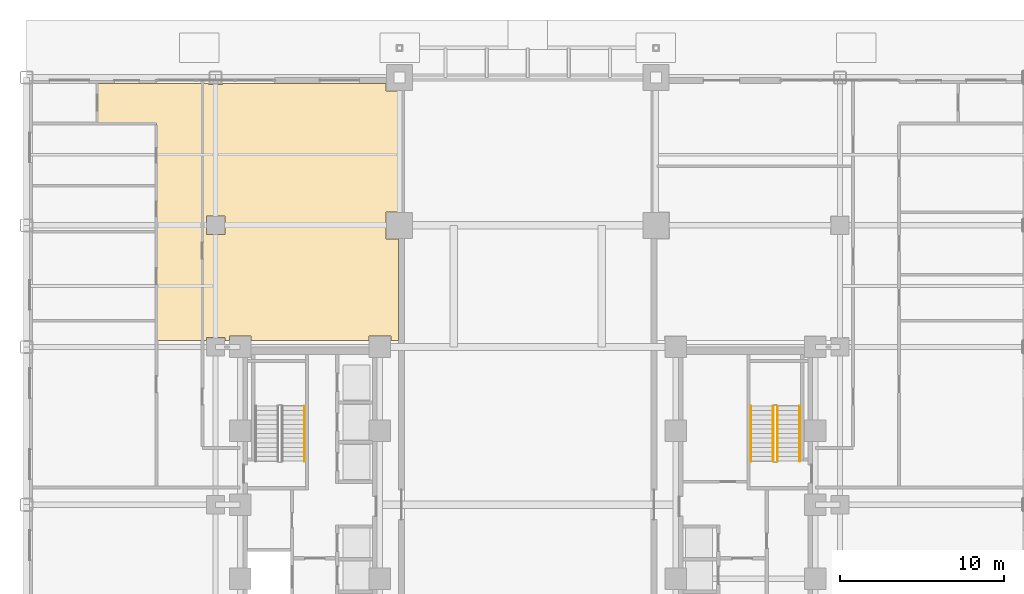
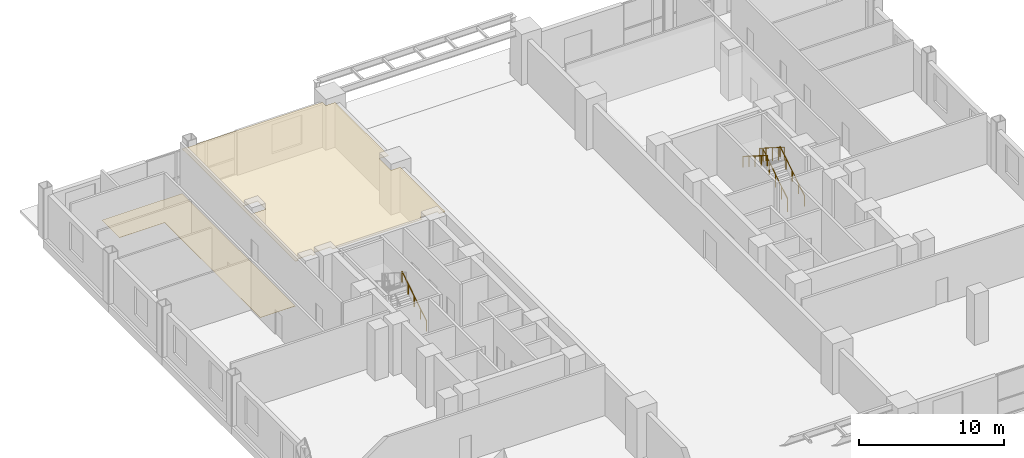
# One storey, part 18 of 20: 5 railings, 2 coverings.
"""IFC4 building model written with IfcOpenShell, lengths in metres."""

import ifcopenshell
import ifcopenshell.guid

model = None  # the IFC model being written
_history = None  # IfcOwnerHistory: only IFC2X3 demands one
_inside = {}  # id of a spatial element -> (the spatial element, [elements in it])
_under = {}  # id of a project, library or spatial element -> (it, [spatial elements below it])
_declared = {}  # id of a project -> (the project, [libraries it declares])
_typed = {}  # id of a type object -> (the type object, [elements of that type])
_made_of = {}  # id of a material, layer set ... -> (it, [elements and type objects made of it])


def new_model(schema):
    """Start an empty IFC model of exactly this schema.

    Asked for "IFC4X3", IfcOpenShell would pick the latest addendum, in which some entities
    have other attributes; the version numbers below select the first issue.
    IFC2X3 requires an IfcOwnerHistory on every rooted entity: one is made here for all.
    """
    global model, _history
    if schema == "IFC4X3":
        model = ifcopenshell.file(schema_version=(4, 3, 0, 0))
    else:
        model = ifcopenshell.file(schema=schema)
    _inside.clear()
    _under.clear()
    _declared.clear()
    _typed.clear()
    _made_of.clear()
    _history = None
    if model.schema == "IFC2X3":
        org = make("IfcOrganization", Name="unknown")
        user = make(
            "IfcPersonAndOrganization",
            ThePerson=make("IfcPerson", FamilyName="unknown"),
            TheOrganization=org,
        )
        app = make(
            "IfcApplication",
            ApplicationDeveloper=org,
            Version="unknown",
            ApplicationFullName="unknown",
            ApplicationIdentifier="unknown",
        )
        _history = make(
            "IfcOwnerHistory",
            OwningUser=user,
            OwningApplication=app,
            ChangeAction="ADDED",
            CreationDate=0,
        )
    return model


def make(cls, **values):
    """One entity of the class cls with the attributes given. An attribute that is None is left unset."""
    return model.create_entity(
        cls, **{name: value for name, value in values.items() if value is not None}
    )


def rooted(cls, **values):
    """An entity with a GlobalId (a new one), such as an element, a storey or a relation."""
    return make(cls, GlobalId=ifcopenshell.guid.new(), OwnerHistory=_history, **values)


def si_unit(unit_type, name, prefix=None):
    """IfcSIUnit, for example si_unit("LENGTHUNIT", "METRE", prefix="MILLI")."""
    return make("IfcSIUnit", UnitType=unit_type, Prefix=prefix, Name=name)


def assignment(units):
    """IfcUnitAssignment: the units of a project."""
    return None if units is None else make("IfcUnitAssignment", Units=units)


def point(xyz):
    """IfcCartesianPoint."""
    return None if xyz is None else make("IfcCartesianPoint", Coordinates=xyz)


def direction(xyz):
    """IfcDirection."""
    return None if xyz is None else make("IfcDirection", DirectionRatios=xyz)


def frame(location, z_axis=None, x_axis=None):
    """IfcAxis2Placement3D, a coordinate frame: its origin and axes. An axis left out is left unset."""
    return make(
        "IfcAxis2Placement3D",
        Location=point(location),
        Axis=direction(z_axis),
        RefDirection=direction(x_axis),
    )


def frame_2d(location, x_axis=None):
    """IfcAxis2Placement2D, a coordinate frame in the plane: its origin and x axis."""
    return make(
        "IfcAxis2Placement2D", Location=point(location), RefDirection=direction(x_axis)
    )


def origin():
    """The frame at (0, 0, 0) with its axes left unset."""
    return frame((0.0, 0.0, 0.0))


def origin_2d():
    """The frame at (0, 0) in the plane with its x axis left unset."""
    return frame_2d((0.0, 0.0))


def place(relative_to, where):
    """IfcLocalPlacement: puts the frame where relative to a parent placement (None: the world)."""
    return make(
        "IfcLocalPlacement", PlacementRelTo=relative_to, RelativePlacement=where
    )


def context(
    kind, dimensions, precision=None, world=None, true_north=None, identifier=None
):
    """IfcGeometricRepresentationContext, for example the 3D "Model" context."""
    return make(
        "IfcGeometricRepresentationContext",
        ContextIdentifier=identifier,
        ContextType=kind,
        CoordinateSpaceDimension=dimensions,
        Precision=precision,
        WorldCoordinateSystem=world,
        TrueNorth=true_north,
    )


def subcontext(parent, identifier, kind, view, scale=None):
    """IfcGeometricRepresentationSubContext, for example "Body" below "Model"."""
    return make(
        "IfcGeometricRepresentationSubContext",
        ContextIdentifier=identifier,
        ContextType=kind,
        ParentContext=parent,
        TargetScale=scale,
        TargetView=view,
    )


def project(units=None, contexts=None):
    """IfcProject with its units and contexts."""
    return rooted(
        "IfcProject",
        Name="project",
        RepresentationContexts=contexts,
        UnitsInContext=assignment(units),
    )


def spatial(cls, under=None, at=None, **own):
    """A site, building, storey or space (cls), placed at a placement, below another one or the project."""
    s = rooted(cls, ObjectPlacement=at, **own)
    if under is not None:
        _under.setdefault(under.id(), (under, []))[1].append(s)
    return s


def polyline(points):
    """IfcPolyline through the points."""
    return make("IfcPolyline", Points=[point(p) for p in points])


def profile(cls, at=None, kind="AREA", **sizes):
    """A parametric profile (cls). Its sizes go by their IFC names, for example OverallWidth=200.0."""
    return make(cls, ProfileType=kind, Position=at, **sizes)


def circle(**sizes):
    """IfcCircleProfileDef."""
    return profile("IfcCircleProfileDef", **sizes)


def outline(outer, holes=None, kind="AREA"):
    """IfcArbitraryClosedProfileDef: a profile drawn as a closed curve; with holes, ...WithVoids."""
    if holes is None:
        return make("IfcArbitraryClosedProfileDef", ProfileType=kind, OuterCurve=outer)
    return make(
        "IfcArbitraryProfileDefWithVoids",
        ProfileType=kind,
        OuterCurve=outer,
        InnerCurves=holes,
    )


def extrude(swept, where, along, depth):
    """IfcExtrudedAreaSolid: the profile swept, set in the frame where, extruded along a direction by depth."""
    return make(
        "IfcExtrudedAreaSolid",
        SweptArea=swept,
        Position=where,
        ExtrudedDirection=direction(along),
        Depth=depth,
    )


def shape(context_of_items, identifier, shape_type, items):
    """IfcShapeRepresentation: the items that make up one representation, for example the "Body"."""
    return make(
        "IfcShapeRepresentation",
        ContextOfItems=context_of_items,
        RepresentationIdentifier=identifier,
        RepresentationType=shape_type,
        Items=items,
    )


def material(Name=None, Category=None):
    """IfcMaterial."""
    return make("IfcMaterial", Name=Name, Category=Category)


def layer(
    of_material, thickness, ventilated=None, Name=None, Category=None, Priority=None
):
    """IfcMaterialLayer: one layer of a wall or slab, of a material (None: an air gap)."""
    return make(
        "IfcMaterialLayer",
        Material=of_material,
        LayerThickness=thickness,
        IsVentilated=ventilated,
        Name=Name,
        Category=Category,
        Priority=Priority,
    )


def layer_set(layers, Name=None):
    """IfcMaterialLayerSet."""
    return make("IfcMaterialLayerSet", MaterialLayers=layers, LayerSetName=Name)


def made_of(thing, what):
    """Note that an element or type object is made of a material, layer set ...; save() writes the relation."""
    if what is not None:
        _made_of.setdefault(what.id(), (what, []))[1].append(thing)
    return thing


def type_object(cls, material=None, **own):
    """A type object (cls), such as IfcWallType, which elements share."""
    return made_of(rooted(cls, **own), material)


def element(
    cls,
    number,
    at=None,
    inside=None,
    cuts=None,
    type_object=None,
    material=None,
    context=None,
    identifier="Body",
    shape_type=None,
    held_by="IfcProductDefinitionShape",
    body=None,
    shapes=None,
    **own,
):
    """One element of the class cls, such as IfcWall. Its Tag is "e" and its number.

    at: its placement. inside: the storey or other place that contains it. cuts: it is an
    opening in that element (IfcRelVoidsElement). A single representation is given by context,
    identifier, shape_type and body (its items); several are given by shapes. held_by: the class
    of the entity that holds the representations. save() writes the other relations.
    """
    e = rooted(cls, Tag="e%d" % number, ObjectPlacement=at, **own)
    if body is not None:
        shapes = [shape(context, identifier, shape_type, body)]
    if shapes is not None:
        e.Representation = make(held_by, Representations=shapes)
    if inside is not None:
        _inside.setdefault(inside.id(), (inside, []))[1].append(e)
    if cuts is not None:
        rooted(
            "IfcRelVoidsElement", RelatingBuildingElement=cuts, RelatedOpeningElement=e
        )
    if type_object is not None:
        _typed.setdefault(type_object.id(), (type_object, []))[1].append(e)
    return made_of(e, material)


def aggregate(whole, parts):
    """IfcRelAggregates: a whole, such as a stair, and the parts it consists of."""
    return rooted("IfcRelAggregates", RelatingObject=whole, RelatedObjects=parts)


def save(model, path):
    """Write the relations noted so far, then the file.

    IfcRelAggregates (storeys below a building ...), IfcRelContainedInSpatialStructure (elements
    in a storey), IfcRelDefinesByType, IfcRelAssociatesMaterial and IfcRelDeclares: one each for
    every whole, place, type object, material and project.
    """
    for whole, parts in _under.values():
        aggregate(whole, parts)
    for where, things in _inside.values():
        rooted(
            "IfcRelContainedInSpatialStructure",
            RelatedElements=things,
            RelatingStructure=where,
        )
    for kind, things in _typed.values():
        rooted("IfcRelDefinesByType", RelatedObjects=things, RelatingType=kind)
    for what, things in _made_of.values():
        rooted("IfcRelAssociatesMaterial", RelatedObjects=things, RelatingMaterial=what)
    for by, libraries in _declared.values():
        rooted("IfcRelDeclares", RelatingContext=by, RelatedDefinitions=libraries)
    model.write(path)


model = new_model("IFC4")

# Units and contexts
model_context = context("Model", 3, precision=1e-05, world=origin(), true_north=direction((0.0, 1.0)))
body_context = subcontext(model_context, "Body", "Model", "MODEL_VIEW")
ifc_project = project(units=[si_unit("LENGTHUNIT", "METRE"), si_unit("AREAUNIT", "SQUARE_METRE"), si_unit("VOLUMEUNIT", "CUBIC_METRE"), si_unit("PLANEANGLEUNIT", "RADIAN"), si_unit("MASSUNIT", "GRAM", prefix="KILO")], contexts=[model_context])

# Site, building, storey
site_placement = place(None, origin())
site = spatial("IfcSite", under=ifc_project, at=site_placement, CompositionType="ELEMENT")
building_placement = place(site_placement, origin())
building = spatial("IfcBuilding", under=site, at=building_placement, Name="Nuvemarco Arch Tower", CompositionType="ELEMENT")
storey_placement = place(building_placement, origin())
storey = spatial("IfcBuildingStorey", under=building, at=storey_placement, Name="L00", CompositionType="ELEMENT", Elevation=0.0)

# Coverings
ifc_material_1 = material(Name="Mineral acoustic ceiling tile")
ifc_layer_1 = layer(ifc_material_1, 0.0400390625, Name="COV-ACOUSTIC-CLG")
ifc_layer_set_1 = layer_set([ifc_layer_1], Name="Mineral acoustic ceiling tile")
covering_type_1 = type_object("IfcCoveringType", Name="COV-ACOUSTIC-CLG", PredefinedType="CEILING", material=ifc_layer_set_1)
covering_1_placement = place(storey_placement, frame((0.0, 0.0, 3.760009765625)))
element("IfcCovering", 1, at=covering_1_placement, inside=storey, type_object=covering_type_1, Name="L00 suspended acoustic ceiling 1", PredefinedType="CEILING", context=body_context, shape_type="SweptSolid", body=[
    extrude(outline(polyline([(-8.614990234375, 25.18505859375), (-7.860107421875, 25.18505859375), (-7.860107421875, 17.81494140625), (-8.614990234375, 17.81494140625), (-8.614990234375, 16.18505859375), (-7.860107421875, 16.18505859375), (-7.860107421875, 10.0), (-8.3349609375, 10.0), (-8.3349609375, 10.264892578125), (-9.6650390625, 10.264892578125), (-9.6650390625, 10.0), (-16.8349609375, 10.0), (-16.8349609375, 10.264892578125), (-18.1650390625, 10.264892578125), (-18.1650390625, 10.0), (-18.43505859375, 10.0), (-18.43505859375, 10.1650390625), (-19.56494140625, 10.1650390625), (-19.56494140625, 10.0), (-19.800048828125, 10.0), (-19.800048828125, 23.199951171875), (-19.800048828125, 25.639892578125), (-19.4150390625, 25.639892578125), (-19.4150390625, 25.5849609375), (-18.5849609375, 25.5849609375), (-18.5849609375, 25.639892578125), (-8.614990234375, 25.639892578125), (-8.614990234375, 25.18505859375)]), holes=[polyline([(-18.43505859375, 16.43505859375), (-18.43505859375, 17.56494140625), (-19.56494140625, 17.56494140625), (-19.56494140625, 16.43505859375), (-18.43505859375, 16.43505859375)])]), origin(), (0.0, 0.0, 1.0), 0.0400390625),
])
ifc_material_2 = material(Name="Polished granite terrazzostone flooring", Category="masonry")
ifc_layer_2 = layer(ifc_material_2, 0.02001953125, Name="COV-LOBBY-FLR")
ifc_layer_set_2 = layer_set([ifc_layer_2], Name="Polished granite terrazzostone flooring")
covering_type_2 = type_object("IfcCoveringType", Name="COV-LOBBY-FLR", PredefinedType="FLOORING", material=ifc_layer_set_2)
covering_2_placement = place(storey_placement, origin())
element("IfcCovering", 2, at=covering_2_placement, inside=storey, type_object=covering_type_2, Name="L00 polished terrazzo lobby flooring", PredefinedType="FLOORING", context=body_context, shape_type="SweptSolid", body=[
    extrude(outline(polyline([(-26.199951171875, 23.199951171875), (-26.199951171875, 25.639892578125), (-19.800048828125, 25.639892578125), (-19.800048828125, 23.199951171875), (-19.800048828125, 10.0), (-22.60009765625, 10.0), (-22.60009765625, 23.199951171875), (-26.199951171875, 23.199951171875)])), origin(), (0.0, 0.0, 1.0), 0.02001953125),
])

# Railings
ifc_material_3 = material(Name="Brushed stainless steel handrail", Category="steel")
railing_type_1 = type_object("IfcRailingType", Name="RL-HANDRAIL-900", PredefinedType="HANDRAIL", material=ifc_material_3)
for number, where, name in (
    (3, (-13.590087890625, 2.64990234375, 0.177001953125), "L00 ST-1 stair handrail 1"),
    (4, (16.550048828125, 2.64990234375, 0.177001953125), "L00 ST-2 stair handrail 1"),
):
    element("IfcRailing", number, at=place(storey_placement, frame(where)), inside=storey, type_object=railing_type_1, Name=name, PredefinedType="HANDRAIL", context=body_context, shape_type="SweptSolid", body=[
        extrude(circle(Radius=0.02392578125, at=origin_2d()), frame((0.0, 0.0, 0.8759765625), z_axis=(0.0, 0.845389635667, 0.534150132366), x_axis=(-1.0, 0.0, 0.0)), (0.0, 0.0, 1.0), 3.974609375),
        extrude(circle(Radius=0.02099609375, at=origin_2d()), origin(), (0.0, 0.0, 1.0), 0.851806640625),
        extrude(circle(Radius=0.02099609375, at=origin_2d()), frame((0.0, 0.840087890625, 0.53076171875)), (0.0, 0.0, 1.0), 0.851806640625),
        extrude(circle(Radius=0.02099609375, at=origin_2d()), frame((0.0, 1.68017578125, 1.0615234375)), (0.0, 0.0, 1.0), 0.851806640625),
        extrude(circle(Radius=0.02099609375, at=origin_2d()), frame((0.0, 2.52001953125, 1.59228515625)), (0.0, 0.0, 1.0), 0.851806640625),
        extrude(circle(Radius=0.02099609375, at=origin_2d()), frame((0.0, 3.360107421875, 2.123046875)), (0.0, 0.0, 1.0), 0.851806640625),
    ])
railing_1_placement = place(storey_placement, frame((13.590087890625, 6.010009765625, 2.476806640625)))
element("IfcRailing", 5, at=railing_1_placement, inside=storey, type_object=railing_type_1, Name="L00 ST-2 stair handrail 2", PredefinedType="HANDRAIL", context=body_context, shape_type="SweptSolid", body=[
    extrude(circle(Radius=0.02392578125, at=origin_2d()), frame((0.0, 0.0, 0.8759765625), z_axis=(0.0, -0.845361898145, 0.534194029511), x_axis=(1.0, 0.0, 0.0)), (0.0, 0.0, 1.0), 3.974853515625),
    extrude(circle(Radius=0.02099609375, at=origin_2d()), origin(), (0.0, 0.0, 1.0), 0.851806640625),
    extrude(circle(Radius=0.02099609375, at=origin_2d()), frame((0.0, -0.840087890625, 0.53076171875)), (0.0, 0.0, 1.0), 0.851806640625),
    extrude(circle(Radius=0.02099609375, at=origin_2d()), frame((0.0, -1.68017578125, 1.0615234375)), (0.0, 0.0, 1.0), 0.851806640625),
    extrude(circle(Radius=0.02099609375, at=origin_2d()), frame((0.0, -2.52001953125, 1.592529296875)), (0.0, 0.0, 1.0), 0.851806640625),
    extrude(circle(Radius=0.02099609375, at=origin_2d()), frame((0.0, -3.360107421875, 2.123291015625)), (0.0, 0.0, 1.0), 0.851806640625),
])
ifc_material_4 = material(Name="Painted balustrade steel S355", Category="steel")
railing_type_2 = type_object("IfcRailingType", Name="RL-STAIR-GUARD", PredefinedType="GUARDRAIL", material=ifc_material_4)
railing_2_placement = place(storey_placement, frame((15.199951171875, 2.64990234375, 0.177001953125)))
element("IfcRailing", 6, at=railing_2_placement, inside=storey, type_object=railing_type_2, Name="L00 ST-2 stair guard 1", PredefinedType="GUARDRAIL", context=body_context, shape_type="SweptSolid", body=[
    extrude(circle(Radius=0.02392578125, at=origin_2d()), frame((0.0, 0.0, 1.09619140625), z_axis=(0.0, 0.845389635667, 0.534150132366), x_axis=(-1.0, 0.0, 0.0)), (0.0, 0.0, 1.0), 3.974609375),
    extrude(circle(Radius=0.02099609375, at=origin_2d()), origin(), (0.0, 0.0, 1.0), 1.072021484375),
    extrude(circle(Radius=0.02099609375, at=origin_2d()), frame((0.0, 0.840087890625, 0.53076171875)), (0.0, 0.0, 1.0), 1.072021484375),
    extrude(circle(Radius=0.02099609375, at=origin_2d()), frame((0.0, 1.68017578125, 1.0615234375)), (0.0, 0.0, 1.0), 1.072021484375),
    extrude(circle(Radius=0.02099609375, at=origin_2d()), frame((0.0, 2.52001953125, 1.59228515625)), (0.0, 0.0, 1.0), 1.072021484375),
    extrude(circle(Radius=0.02099609375, at=origin_2d()), frame((0.0, 3.360107421875, 2.123046875)), (0.0, 0.0, 1.0), 1.072021484375),
])
railing_3_placement = place(storey_placement, frame((14.93994140625, 6.010009765625, 2.476806640625)))
element("IfcRailing", 7, at=railing_3_placement, inside=storey, type_object=railing_type_2, Name="L00 ST-2 stair guard 3", PredefinedType="GUARDRAIL", context=body_context, shape_type="SweptSolid", body=[
    extrude(circle(Radius=0.02392578125, at=origin_2d()), frame((0.0, 0.0, 1.09619140625), z_axis=(0.0, -0.845361898145, 0.534194029511), x_axis=(1.0, 0.0, 0.0)), (0.0, 0.0, 1.0), 3.974853515625),
    extrude(circle(Radius=0.02099609375, at=origin_2d()), origin(), (0.0, 0.0, 1.0), 1.072021484375),
    extrude(circle(Radius=0.02099609375, at=origin_2d()), frame((0.0, -0.840087890625, 0.53076171875)), (0.0, 0.0, 1.0), 1.072021484375),
    extrude(circle(Radius=0.02099609375, at=origin_2d()), frame((0.0, -1.68017578125, 1.0615234375)), (0.0, 0.0, 1.0), 1.072021484375),
    extrude(circle(Radius=0.02099609375, at=origin_2d()), frame((0.0, -2.52001953125, 1.592529296875)), (0.0, 0.0, 1.0), 1.072021484375),
    extrude(circle(Radius=0.02099609375, at=origin_2d()), frame((0.0, -3.360107421875, 2.123291015625)), (0.0, 0.0, 1.0), 1.072021484375),
])

save(model, "model.ifc")
